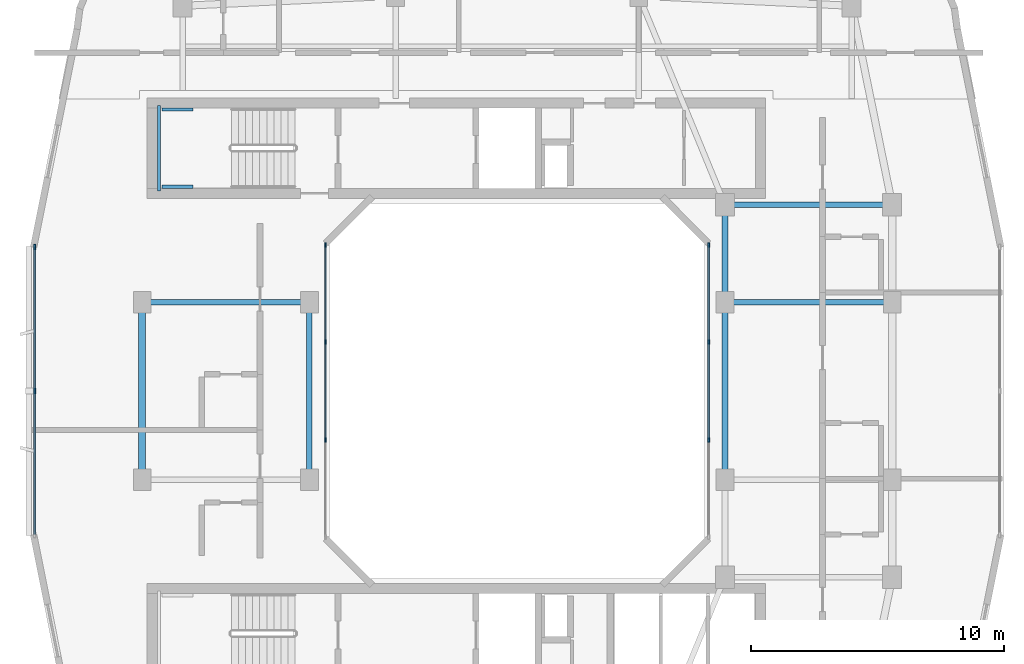
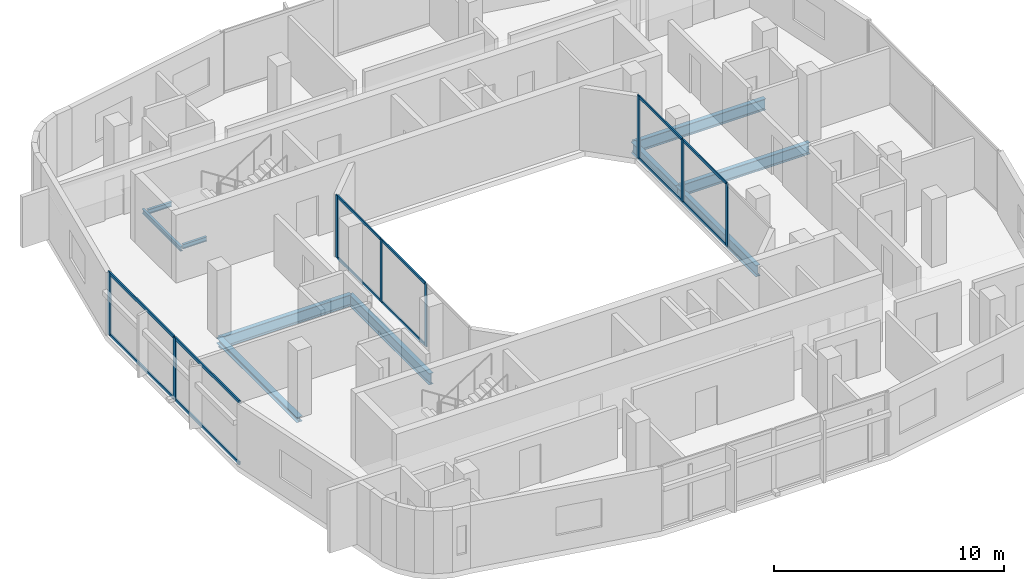
# One storey, part 3 of 14: 20 members, 10 beams, 3 elements without a shape of their own.
"""IFC4 building model written with IfcOpenShell, lengths in metres."""

from ifc_helpers import new_model, si_unit, derived_unit, direction, frame, origin, origin_2d, place, context, subcontext, project, spatial, rectangle, i_section, extrude, material, layer, layer_set, material_profile, profile_set, type_object, element, aggregate, save


model = new_model("IFC4")

# Units and contexts
model_context = context("Model", 3, precision=1e-05, world=origin(), true_north=direction((0.0, 1.0)))
body_context = subcontext(model_context, "Body", "Model", "MODEL_VIEW")
ifc_project = project(units=[si_unit("LENGTHUNIT", "METRE"), si_unit("AREAUNIT", "SQUARE_METRE"), si_unit("VOLUMEUNIT", "CUBIC_METRE"), si_unit("PLANEANGLEUNIT", "RADIAN"), si_unit("MASSUNIT", "GRAM", prefix="KILO"), derived_unit("THERMALTRANSMITTANCEUNIT", [(si_unit("POWERUNIT", "WATT"), 1), (si_unit("LENGTHUNIT", "METRE"), -2), (si_unit("THERMODYNAMICTEMPERATUREUNIT", "KELVIN"), -1)])], contexts=[model_context])

# Site, building, storey
site_placement = place(None, origin())
site = spatial("IfcSite", under=ifc_project, at=site_placement, CompositionType="ELEMENT")
building_placement = place(site_placement, origin())
building = spatial("IfcBuilding", under=site, at=building_placement, Name="Kivonza Crest Hotel", CompositionType="ELEMENT")
storey_placement = place(building_placement, frame((0.0, 0.0, 213.5)))
storey = spatial("IfcBuildingStorey", under=building, at=storey_placement, Name="L58", CompositionType="ELEMENT", Elevation=213.5)

# Beams
ifc_material_1 = material(Name="Steel S355", Category="steel")
ifc_material_profile_1 = material_profile(ifc_material_1, i_section(OverallWidth=0.280029296875, OverallDepth=0.280029296875, WebThickness=0.010498046875, FlangeThickness=0.01806640625, FilletRadius=0.02392578125, at=origin_2d()), Name="HEB 280")
ifc_profile_set_1 = profile_set([ifc_material_profile_1], Name="Steel S355")
beam_type_1 = type_object("IfcBeamType", Name="BM-HEB280", PredefinedType="SPANDREL", material=ifc_profile_set_1)
beam_1_placement = place(storey_placement, frame((6.199951171875, 28.5, -0.419921875), z_axis=(0.0, -1.0, 0.0), x_axis=(1.0, 0.0, 0.0)))
element("IfcBeam", 1, at=beam_1_placement, inside=storey, type_object=beam_type_1, Name="Tower T1 L58 perimeter spandrel W2-W1", PredefinedType="SPANDREL", context=body_context, shape_type="SweptSolid", body=[
    extrude(i_section(OverallWidth=0.280029296875, OverallDepth=0.280029296875, WebThickness=0.010498046875, FlangeThickness=0.01806640625, FilletRadius=0.02392578125, at=origin_2d()), origin(), (0.0, 0.0, 1.0), 7.0),
])
ifc_material_profile_2 = material_profile(ifc_material_1, i_section(OverallWidth=0.219970703125, OverallDepth=0.60009765625, WebThickness=0.011962890625, FlangeThickness=0.01904296875, FilletRadius=0.02392578125, at=origin_2d()), Name="IPE 600")
ifc_profile_set_2 = profile_set([ifc_material_profile_2], Name="Steel S355")
beam_type_2 = type_object("IfcBeamType", Name="BM-IPE600", PredefinedType="BEAM", material=ifc_profile_set_2)
beam_2_placement = place(storey_placement, frame((6.199951171875, 28.5, -0.580078125), z_axis=(1.0, 0.0, 0.0), x_axis=(0.0, 1.0, 0.0)))
element("IfcBeam", 2, at=beam_2_placement, inside=storey, type_object=beam_type_2, Name="Tower T1 L58 primary girder W2-WL2", PredefinedType="BEAM", context=body_context, shape_type="SweptSolid", body=[
    extrude(i_section(OverallWidth=0.219970703125, OverallDepth=0.60009765625, WebThickness=0.011962890625, FlangeThickness=0.01904296875, FilletRadius=0.02392578125, at=origin_2d()), origin(), (0.0, 0.0, 1.0), 6.60009765625),
])
beam_3_placement = place(storey_placement, frame((12.800048828125, 21.5, -0.580078125), z_axis=(0.0, 1.0, 0.0), x_axis=(-1.0, 0.0, 0.0)))
element("IfcBeam", 3, at=beam_3_placement, inside=storey, type_object=beam_type_2, Name="Tower T1 L58 primary girder WL1-WL2", PredefinedType="BEAM", context=body_context, shape_type="SweptSolid", body=[
    extrude(i_section(OverallWidth=0.219970703125, OverallDepth=0.60009765625, WebThickness=0.011962890625, FlangeThickness=0.01904296875, FilletRadius=0.02392578125, at=origin_2d()), origin(), (0.0, 0.0, 1.0), 7.0),
])
beam_4_placement = place(storey_placement, frame((29.199951171875, 32.35009765625, -0.580078125), z_axis=(1.0, 0.0, 0.0), x_axis=(0.0, 1.0, 0.0)))
element("IfcBeam", 4, at=beam_4_placement, inside=storey, type_object=beam_type_2, Name="Tower T1 L58 primary girder TNE-PNE", PredefinedType="BEAM", context=body_context, shape_type="SweptSolid", body=[
    extrude(i_section(OverallWidth=0.219970703125, OverallDepth=0.60009765625, WebThickness=0.011962890625, FlangeThickness=0.01904296875, FilletRadius=0.02392578125, at=origin_2d()), origin(), (0.0, 0.0, 1.0), 6.60009765625),
])
beam_5_placement = place(storey_placement, frame((29.199951171875, 21.5, -0.580078125), z_axis=(0.0, 1.0, 0.0), x_axis=(-1.0, 0.0, 0.0)))
element("IfcBeam", 5, at=beam_5_placement, inside=storey, type_object=beam_type_2, Name="Tower T1 L58 primary girder WR1-WR2", PredefinedType="BEAM", context=body_context, shape_type="SweptSolid", body=[
    extrude(i_section(OverallWidth=0.219970703125, OverallDepth=0.60009765625, WebThickness=0.011962890625, FlangeThickness=0.01904296875, FilletRadius=0.02392578125, at=origin_2d()), origin(), (0.0, 0.0, 1.0), 7.0),
])
beam_6_placement = place(storey_placement, frame((29.199951171875, 28.5, -0.580078125), z_axis=(0.0, 1.0, 0.0), x_axis=(-1.0, 0.0, 0.0)))
element("IfcBeam", 6, at=beam_6_placement, inside=storey, type_object=beam_type_2, Name="Tower T1 L58 primary girder WR2-TNE", PredefinedType="BEAM", context=body_context, shape_type="SweptSolid", body=[
    extrude(i_section(OverallWidth=0.219970703125, OverallDepth=0.60009765625, WebThickness=0.011962890625, FlangeThickness=0.01904296875, FilletRadius=0.02392578125, at=origin_2d()), origin(), (0.0, 0.0, 1.0), 3.85009765625),
])
beam_7_placement = place(storey_placement, frame((29.199951171875, 28.5, -0.580078125), z_axis=(1.0, 0.0, 0.0), x_axis=(0.0, 1.0, 0.0)))
element("IfcBeam", 7, at=beam_7_placement, inside=storey, type_object=beam_type_2, Name="Tower T1 L58 primary girder WR2-E2", PredefinedType="BEAM", context=body_context, shape_type="SweptSolid", body=[
    extrude(i_section(OverallWidth=0.219970703125, OverallDepth=0.60009765625, WebThickness=0.011962890625, FlangeThickness=0.01904296875, FilletRadius=0.02392578125, at=origin_2d()), origin(), (0.0, 0.0, 1.0), 6.60009765625),
])
ifc_material_profile_3 = material_profile(ifc_material_1, i_section(OverallWidth=0.1201171875, OverallDepth=0.239990234375, WebThickness=0.006103515625, FlangeThickness=0.009765625, FilletRadius=0.014892578125, at=origin_2d()), Name="IPE 240")
ifc_profile_set_3 = profile_set([ifc_material_profile_3], Name="Steel S355")
beam_type_3 = type_object("IfcBeamType", Name="BM-LLDG-240", PredefinedType="BEAM", material=ifc_profile_set_3)
beam_8_placement = place(storey_placement, frame((6.860107421875, 32.89990234375, 1.47998046875), z_axis=(0.0, 1.0, 0.0), x_axis=(-1.0, 0.0, 0.0)))
element("IfcBeam", 8, at=beam_8_placement, inside=storey, type_object=beam_type_3, Name="Stair ST-T1-N L58 West landing corbel", PredefinedType="BEAM", context=body_context, shape_type="SweptSolid", body=[
    extrude(i_section(OverallWidth=0.1201171875, OverallDepth=0.239990234375, WebThickness=0.006103515625, FlangeThickness=0.009765625, FilletRadius=0.014892578125, at=origin_2d()), origin(), (0.0, 0.0, 1.0), 3.360107421875),
])
for number, where, z_axis, x_axis, name in (
    (9, (6.989990234375, 33.06005859375, 1.47998046875), (1.0, 0.0, 0.0), (0.0, 1.0, 0.0), "Stair ST-T1-N L58 South landing corbel"),
    (10, (6.989990234375, 36.10009765625, 1.47998046875), (1.0, 0.0, 0.0), (0.0, 1.0, 0.0), "Stair ST-T1-N L58 North landing corbel"),
):
    element("IfcBeam", number, at=place(storey_placement, frame(where, z_axis=z_axis, x_axis=x_axis)), inside=storey, type_object=beam_type_3, Name=name, PredefinedType="BEAM", context=body_context, shape_type="SweptSolid", body=[
        extrude(i_section(OverallWidth=0.1201171875, OverallDepth=0.239990234375, WebThickness=0.006103515625, FlangeThickness=0.009765625, FilletRadius=0.014892578125, at=origin_2d()), origin(), (0.0, 0.0, 1.0), 1.2099609375),
    ])

# Curtain wall, members
ifc_material_2 = material(Name="Anodised bronze aluminium and low-E double glazing", Category="aluminium")
ifc_layer_1 = layer(ifc_material_2, 0.159912109375)
ifc_layer_set_1 = layer_set([ifc_layer_1], Name="Anodised bronze aluminium and low-E double glazing")
curtain_wall_type_1 = type_object("IfcCurtainWallType", Name="CW-SYS-5", PredefinedType="NOTDEFINED", material=ifc_layer_set_1)
curtain_wall_1_placement = place(storey_placement, origin())
curtain_wall_1 = element("IfcCurtainWall", 11, at=curtain_wall_1_placement, inside=storey, type_object=curtain_wall_type_1, Name="L58 unitised curtain wall CW-WELL-T1-L58-3", PredefinedType="NOTDEFINED")
ifc_material_3 = material(Name="Anodised bronze aluminium", Category="aluminium")
ifc_material_profile_4 = material_profile(ifc_material_3, rectangle(XDim=0.06494140625, YDim=0.179931640625, at=origin_2d()), Name="CW-M 65x180")
ifc_profile_set_4 = profile_set([ifc_material_profile_4], Name="Anodised bronze aluminium")
member_type_1 = type_object("IfcMemberType", Name="CW-MUL-65x180", PredefinedType="MULLION", material=ifc_profile_set_4)
member_1_placement = place(storey_placement, frame((28.56005859375, 23.066650390625, 0.0), z_axis=(0.0, 0.0, 1.0), x_axis=(-1.0, 0.0, 0.0)))
member_1 = element("IfcMember", 12, at=member_1_placement, type_object=member_type_1, Name="CW-5 mullion 2", PredefinedType="MULLION", context=body_context, shape_type="SweptSolid", body=[
    extrude(rectangle(XDim=0.06494140625, YDim=0.179931640625, at=origin_2d()), origin(), (0.0, 0.0, 1.0), 3.320068359375),
])
member_2_placement = place(storey_placement, frame((28.56005859375, 26.933349609375, 0.0), z_axis=(0.0, 0.0, 1.0), x_axis=(-1.0, 0.0, 0.0)))
member_2 = element("IfcMember", 13, at=member_2_placement, type_object=member_type_1, Name="CW-5 mullion 3", PredefinedType="MULLION", context=body_context, shape_type="SweptSolid", body=[
    extrude(rectangle(XDim=0.06494140625, YDim=0.179931640625, at=origin_2d()), origin(), (0.0, 0.0, 1.0), 3.320068359375),
])
member_3_placement = place(storey_placement, frame((28.56005859375, 30.767578125, 0.0), z_axis=(0.0, 0.0, 1.0), x_axis=(-1.0, 0.0, 0.0)))
member_3 = element("IfcMember", 14, at=member_3_placement, type_object=member_type_1, Name="CW-5 mullion 4", PredefinedType="MULLION", context=body_context, shape_type="SweptSolid", body=[
    extrude(rectangle(XDim=0.06494140625, YDim=0.179931640625, at=origin_2d()), origin(), (0.0, 0.0, 1.0), 3.320068359375),
])

curtain_wall_2_placement = place(storey_placement, origin())
curtain_wall_2 = element("IfcCurtainWall", 15, at=curtain_wall_2_placement, inside=storey, type_object=curtain_wall_type_1, Name="L58 unitised curtain wall CW-WELL-T1-L58-7", PredefinedType="NOTDEFINED")
member_4_placement = place(storey_placement, frame((13.43994140625, 30.767578125, 0.0), z_axis=(0.0, 0.0, 1.0), x_axis=(1.0, 0.0, 0.0)))
member_4 = element("IfcMember", 16, at=member_4_placement, type_object=member_type_1, Name="CW-5 mullion 1", PredefinedType="MULLION", context=body_context, shape_type="SweptSolid", body=[
    extrude(rectangle(XDim=0.06494140625, YDim=0.179931640625, at=origin_2d()), origin(), (0.0, 0.0, 1.0), 3.320068359375),
])
member_5_placement = place(storey_placement, frame((13.43994140625, 26.933349609375, 0.0), z_axis=(0.0, 0.0, 1.0), x_axis=(1.0, 0.0, 0.0)))
member_5 = element("IfcMember", 17, at=member_5_placement, type_object=member_type_1, Name="CW-5 mullion 2", PredefinedType="MULLION", context=body_context, shape_type="SweptSolid", body=[
    extrude(rectangle(XDim=0.06494140625, YDim=0.179931640625, at=origin_2d()), origin(), (0.0, 0.0, 1.0), 3.320068359375),
])
member_6_placement = place(storey_placement, frame((13.43994140625, 23.066650390625, 0.0), z_axis=(0.0, 0.0, 1.0), x_axis=(1.0, 0.0, 0.0)))
member_6 = element("IfcMember", 18, at=member_6_placement, type_object=member_type_1, Name="CW-5 mullion 3", PredefinedType="MULLION", context=body_context, shape_type="SweptSolid", body=[
    extrude(rectangle(XDim=0.06494140625, YDim=0.179931640625, at=origin_2d()), origin(), (0.0, 0.0, 1.0), 3.320068359375),
])

ifc_layer_2 = layer(ifc_material_2, 0.179931640625)
ifc_layer_set_2 = layer_set([ifc_layer_2], Name="Anodised bronze aluminium and low-E double glazing")
curtain_wall_type_2 = type_object("IfcCurtainWallType", Name="CW-SYS-3", PredefinedType="NOTDEFINED", material=ifc_layer_set_2)
curtain_wall_3_placement = place(storey_placement, origin())
curtain_wall_3 = element("IfcCurtainWall", 19, at=curtain_wall_3_placement, inside=storey, type_object=curtain_wall_type_2, Name="L58 unitised curtain wall CW-T1-L58-35", PredefinedType="NOTDEFINED")
ifc_material_profile_5 = material_profile(ifc_material_3, rectangle(XDim=0.074951171875, YDim=0.219970703125, at=origin_2d()), Name="CW-M 75x220")
ifc_profile_set_5 = profile_set([ifc_material_profile_5], Name="Anodised bronze aluminium")
member_type_2 = type_object("IfcMemberType", Name="CW-MUL-75x220", PredefinedType="MULLION", material=ifc_profile_set_5)
member_7_placement = place(storey_placement, frame((1.9599609375, 30.6826171875, 0.0), z_axis=(0.0, 0.0, 1.0), x_axis=(1.0, 0.0, 0.0)))
member_7 = element("IfcMember", 20, at=member_7_placement, type_object=member_type_2, Name="CW-3 mullion 1", PredefinedType="MULLION", context=body_context, shape_type="SweptSolid", body=[
    extrude(rectangle(XDim=0.074951171875, YDim=0.219970703125, at=origin_2d()), origin(), (0.0, 0.0, 1.0), 3.320068359375),
])
member_8_placement = place(storey_placement, frame((1.9599609375, 25.0, 0.0), z_axis=(0.0, 0.0, 1.0), x_axis=(1.0, 0.0, 0.0)))
member_8 = element("IfcMember", 21, at=member_8_placement, type_object=member_type_2, Name="CW-3 mullion 2", PredefinedType="MULLION", context=body_context, shape_type="SweptSolid", body=[
    extrude(rectangle(XDim=0.074951171875, YDim=0.219970703125, at=origin_2d()), origin(), (0.0, 0.0, 1.0), 3.320068359375),
])

# Member
ifc_material_profile_6 = material_profile(ifc_material_3, rectangle(XDim=0.06494140625, YDim=0.139892578125, at=origin_2d()), Name="CW-T 65x140")
ifc_profile_set_6 = profile_set([ifc_material_profile_6], Name="Anodised bronze aluminium")
member_type_3 = type_object("IfcMemberType", Name="CW-TRN-65x140", PredefinedType="USERDEFINED", material=ifc_profile_set_6)
member_9_placement = place(storey_placement, frame((28.56005859375, 23.09912109375, 0.032470703125), z_axis=(0.0, 1.0, 0.0), x_axis=(-1.0, 0.0, 0.0)))
member_9 = element("IfcMember", 22, at=member_9_placement, type_object=member_type_3, Name="CW-5 transom 2.1", ObjectType="TRANSOM", PredefinedType="USERDEFINED", context=body_context, shape_type="SweptSolid", body=[
    extrude(rectangle(XDim=0.06494140625, YDim=0.139892578125, at=origin_2d()), origin(), (0.0, 0.0, 1.0), 3.8017578125),
])

member_10_placement = place(storey_placement, frame((28.56005859375, 23.09912109375, 3.28759765625), z_axis=(0.0, 1.0, 0.0), x_axis=(-1.0, 0.0, 0.0)))
member_10 = element("IfcMember", 23, at=member_10_placement, type_object=member_type_3, Name="CW-5 transom 2.2", ObjectType="TRANSOM", PredefinedType="USERDEFINED", context=body_context, shape_type="SweptSolid", body=[
    extrude(rectangle(XDim=0.06494140625, YDim=0.139892578125, at=origin_2d()), origin(), (0.0, 0.0, 1.0), 3.8017578125),
])

member_11_placement = place(storey_placement, frame((28.56005859375, 26.9658203125, 0.032470703125), z_axis=(0.0, 1.0, 0.0), x_axis=(-1.0, 0.0, 0.0)))
member_11 = element("IfcMember", 24, at=member_11_placement, type_object=member_type_3, Name="CW-5 transom 3.1", ObjectType="TRANSOM", PredefinedType="USERDEFINED", context=body_context, shape_type="SweptSolid", body=[
    extrude(rectangle(XDim=0.06494140625, YDim=0.139892578125, at=origin_2d()), origin(), (0.0, 0.0, 1.0), 3.769287109375),
])

member_12_placement = place(storey_placement, frame((28.56005859375, 26.9658203125, 3.28759765625), z_axis=(0.0, 1.0, 0.0), x_axis=(-1.0, 0.0, 0.0)))
member_12 = element("IfcMember", 25, at=member_12_placement, type_object=member_type_3, Name="CW-5 transom 3.2", ObjectType="TRANSOM", PredefinedType="USERDEFINED", context=body_context, shape_type="SweptSolid", body=[
    extrude(rectangle(XDim=0.06494140625, YDim=0.139892578125, at=origin_2d()), origin(), (0.0, 0.0, 1.0), 3.769287109375),
])

aggregate(curtain_wall_1, [member_1, member_2, member_3, member_9, member_10, member_11, member_12])

member_13_placement = place(storey_placement, frame((13.43994140625, 30.735107421875, 0.032470703125), z_axis=(0.0, -1.0, 0.0), x_axis=(1.0, 0.0, 0.0)))
member_13 = element("IfcMember", 26, at=member_13_placement, type_object=member_type_3, Name="CW-5 transom 1.1", ObjectType="TRANSOM", PredefinedType="USERDEFINED", context=body_context, shape_type="SweptSolid", body=[
    extrude(rectangle(XDim=0.06494140625, YDim=0.139892578125, at=origin_2d()), origin(), (0.0, 0.0, 1.0), 3.769287109375),
])

member_14_placement = place(storey_placement, frame((13.43994140625, 30.735107421875, 3.28759765625), z_axis=(0.0, -1.0, 0.0), x_axis=(1.0, 0.0, 0.0)))
member_14 = element("IfcMember", 27, at=member_14_placement, type_object=member_type_3, Name="CW-5 transom 1.2", ObjectType="TRANSOM", PredefinedType="USERDEFINED", context=body_context, shape_type="SweptSolid", body=[
    extrude(rectangle(XDim=0.06494140625, YDim=0.139892578125, at=origin_2d()), origin(), (0.0, 0.0, 1.0), 3.769287109375),
])

member_15_placement = place(storey_placement, frame((13.43994140625, 26.90087890625, 0.032470703125), z_axis=(0.0, -1.0, 0.0), x_axis=(1.0, 0.0, 0.0)))
member_15 = element("IfcMember", 28, at=member_15_placement, type_object=member_type_3, Name="CW-5 transom 2.1", ObjectType="TRANSOM", PredefinedType="USERDEFINED", context=body_context, shape_type="SweptSolid", body=[
    extrude(rectangle(XDim=0.06494140625, YDim=0.139892578125, at=origin_2d()), origin(), (0.0, 0.0, 1.0), 3.8017578125),
])

member_16_placement = place(storey_placement, frame((13.43994140625, 26.90087890625, 3.28759765625), z_axis=(0.0, -1.0, 0.0), x_axis=(1.0, 0.0, 0.0)))
member_16 = element("IfcMember", 29, at=member_16_placement, type_object=member_type_3, Name="CW-5 transom 2.2", ObjectType="TRANSOM", PredefinedType="USERDEFINED", context=body_context, shape_type="SweptSolid", body=[
    extrude(rectangle(XDim=0.06494140625, YDim=0.139892578125, at=origin_2d()), origin(), (0.0, 0.0, 1.0), 3.8017578125),
])

aggregate(curtain_wall_2, [member_4, member_5, member_6, member_13, member_14, member_15, member_16])

ifc_material_profile_7 = material_profile(ifc_material_3, rectangle(XDim=0.074951171875, YDim=0.159912109375, at=origin_2d()), Name="CW-T 75x160")
ifc_profile_set_7 = profile_set([ifc_material_profile_7], Name="Anodised bronze aluminium")
member_type_4 = type_object("IfcMemberType", Name="CW-TRN-75x160", PredefinedType="USERDEFINED", material=ifc_profile_set_7)
member_17_placement = place(storey_placement, frame((1.9599609375, 30.64501953125, 0.03759765625), z_axis=(0.0, -1.0, 0.0), x_axis=(1.0, 0.0, 0.0)))
member_17 = element("IfcMember", 30, at=member_17_placement, type_object=member_type_4, Name="CW-3 transom 1.1", ObjectType="TRANSOM", PredefinedType="USERDEFINED", context=body_context, shape_type="SweptSolid", body=[
    extrude(rectangle(XDim=0.074951171875, YDim=0.159912109375, at=origin_2d()), origin(), (0.0, 0.0, 1.0), 5.607421875),
])

member_18_placement = place(storey_placement, frame((1.9599609375, 30.64501953125, 3.282470703125), z_axis=(0.0, -1.0, 0.0), x_axis=(1.0, 0.0, 0.0)))
member_18 = element("IfcMember", 31, at=member_18_placement, type_object=member_type_4, Name="CW-3 transom 1.2", ObjectType="TRANSOM", PredefinedType="USERDEFINED", context=body_context, shape_type="SweptSolid", body=[
    extrude(rectangle(XDim=0.074951171875, YDim=0.159912109375, at=origin_2d()), origin(), (0.0, 0.0, 1.0), 5.607421875),
])

member_19_placement = place(storey_placement, frame((1.9599609375, 24.96240234375, 0.03759765625), z_axis=(0.0, -1.0, 0.0), x_axis=(1.0, 0.0, 0.0)))
member_19 = element("IfcMember", 32, at=member_19_placement, type_object=member_type_4, Name="CW-3 transom 2.1", ObjectType="TRANSOM", PredefinedType="USERDEFINED", context=body_context, shape_type="SweptSolid", body=[
    extrude(rectangle(XDim=0.074951171875, YDim=0.159912109375, at=origin_2d()), origin(), (0.0, 0.0, 1.0), 5.607421875),
])

member_20_placement = place(storey_placement, frame((1.9599609375, 24.96240234375, 3.282470703125), z_axis=(0.0, -1.0, 0.0), x_axis=(1.0, 0.0, 0.0)))
member_20 = element("IfcMember", 33, at=member_20_placement, type_object=member_type_4, Name="CW-3 transom 2.2", ObjectType="TRANSOM", PredefinedType="USERDEFINED", context=body_context, shape_type="SweptSolid", body=[
    extrude(rectangle(XDim=0.074951171875, YDim=0.159912109375, at=origin_2d()), origin(), (0.0, 0.0, 1.0), 5.607421875),
])

aggregate(curtain_wall_3, [member_7, member_8, member_17, member_18, member_19, member_20])

save(model, "model.ifc")
